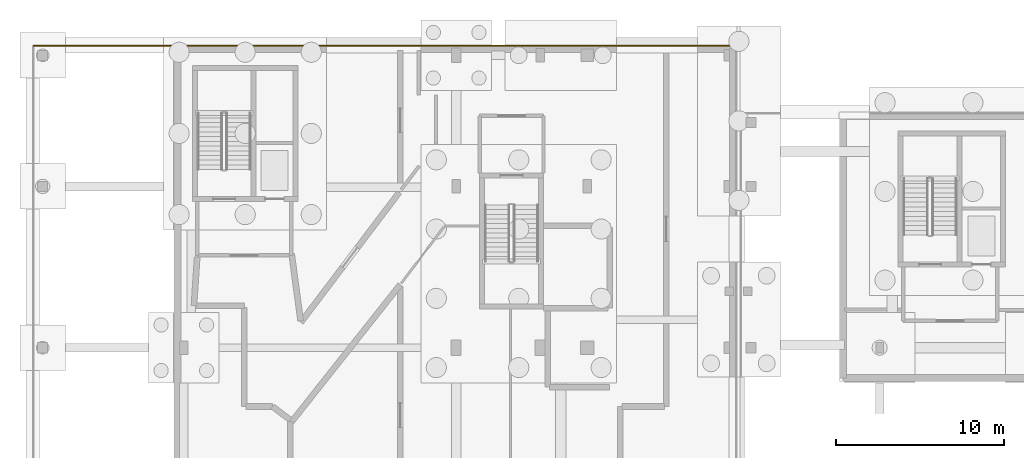
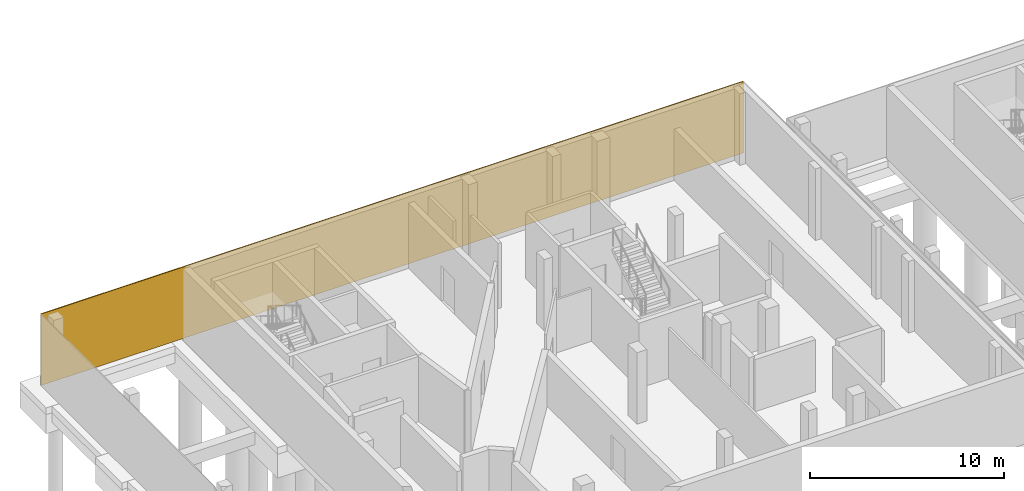
# One storey, part 35 of 40: 1 covering.
"""IFC4 building model written with IfcOpenShell, lengths in metres."""

from ifc_helpers import new_model, si_unit, direction, frame, origin, origin_2d, place, context, subcontext, project, spatial, rectangle, extrude, material, layer, layer_set, type_object, element, save


model = new_model("IFC4")

# Units and contexts
model_context = context("Model", 3, precision=1e-05, world=origin(), true_north=direction((0.0, 1.0)))
body_context = subcontext(model_context, "Body", "Model", "MODEL_VIEW")
ifc_project = project(units=[si_unit("LENGTHUNIT", "METRE"), si_unit("AREAUNIT", "SQUARE_METRE"), si_unit("VOLUMEUNIT", "CUBIC_METRE"), si_unit("PLANEANGLEUNIT", "RADIAN"), si_unit("MASSUNIT", "GRAM", prefix="KILO")], contexts=[model_context])

# Site, building, storey
site_placement = place(None, origin())
site = spatial("IfcSite", under=ifc_project, at=site_placement, CompositionType="ELEMENT")
building_placement = place(site_placement, origin())
building = spatial("IfcBuilding", under=site, at=building_placement, Name="Mzevani Central Library", CompositionType="ELEMENT")
storey_placement = place(building_placement, frame((0.0, 0.0, -4.5)))
storey = spatial("IfcBuildingStorey", under=building, at=storey_placement, Name="B1", CompositionType="ELEMENT", Elevation=-4.5)

# Covering
ifc_material = material(Name="Limestone ashlar cladding", Category="masonry")
ifc_layer = layer(ifc_material, 0.050048828125, Name="Limestone Ashlar Spandrel Cladding")
ifc_layer_set = layer_set([ifc_layer], Name="Limestone ashlar cladding")
covering_type = type_object("IfcCoveringType", Name="Limestone Ashlar Spandrel Cladding", PredefinedType="CLADDING", material=ifc_layer_set)
covering_placement = place(storey_placement, frame((24.949951171875, 117.9599609375, 0.0), z_axis=(0.0, 0.0, 1.0), x_axis=(1.0, 0.0, 0.0)))
element("IfcCovering", 1, at=covering_placement, inside=storey, type_object=covering_type, Name="B1 V2 Perimeter Plinth Cladding (37)", PredefinedType="CLADDING", context=body_context, shape_type="SweptSolid", body=[
    extrude(rectangle(XDim=41.820068359375, YDim=0.06005859375, at=origin_2d()), origin(), (0.0, 0.0, 1.0), 4.5),
])

save(model, "model.ifc")
